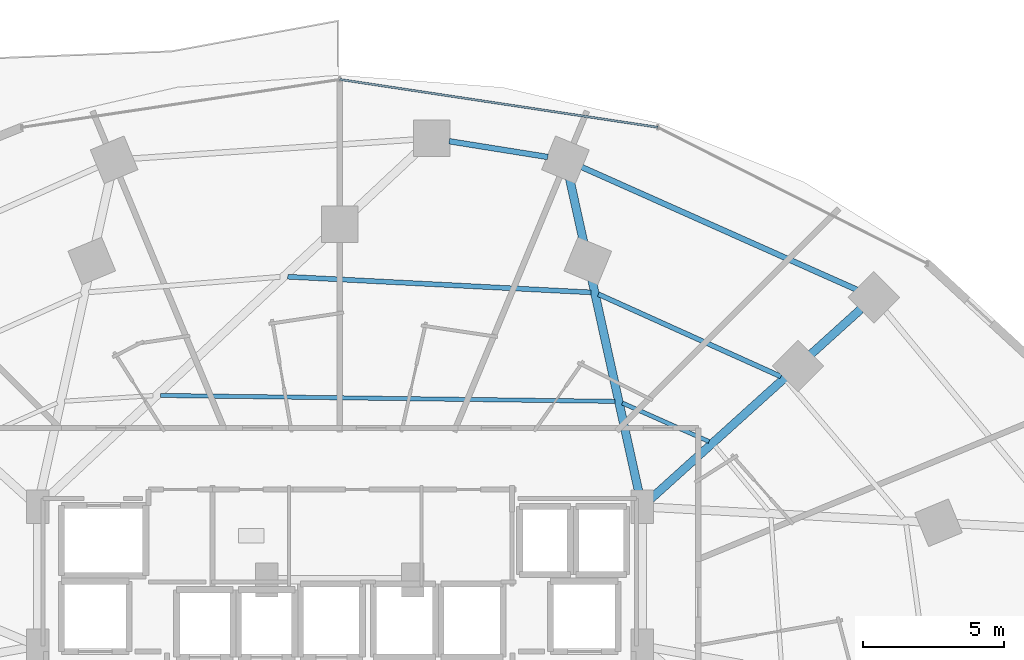
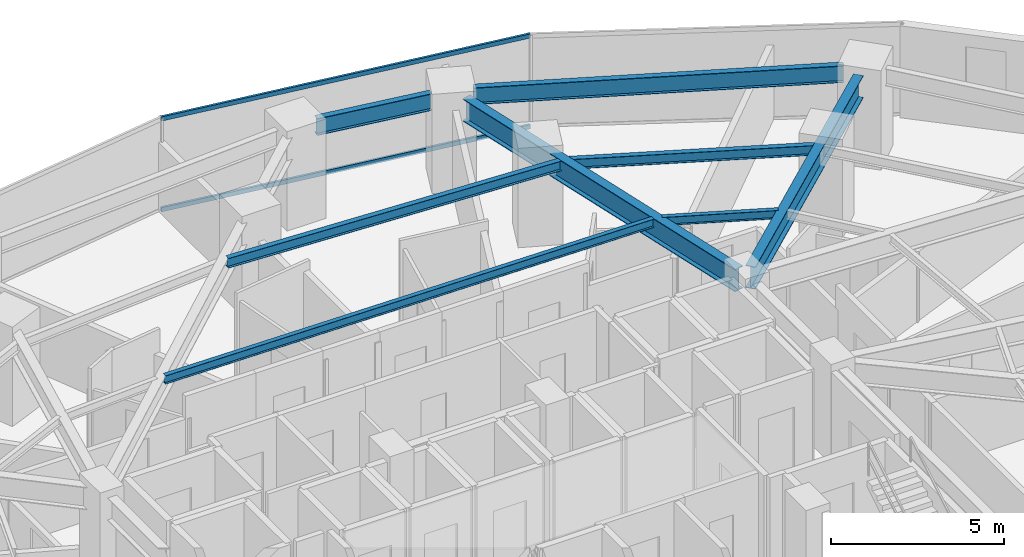
# One storey, part 22 of 34: 8 beams, 2 members, 1 element without a shape of its own.
"""IFC4 building model written with IfcOpenShell, lengths in metres."""

from ifc_helpers import new_model, si_unit, direction, frame, origin, origin_2d, place, context, subcontext, project, spatial, hollow_rectangle, i_section, extrude, material, material_profile, profile_set, type_object, element, aggregate, save


model = new_model("IFC4")

# Units and contexts
model_context = context("Model", 3, precision=1e-05, world=origin(), true_north=direction((0.0, 1.0)))
body_context = subcontext(model_context, "Body", "Model", "MODEL_VIEW")
ifc_project = project(units=[si_unit("LENGTHUNIT", "METRE"), si_unit("AREAUNIT", "SQUARE_METRE"), si_unit("VOLUMEUNIT", "CUBIC_METRE"), si_unit("PLANEANGLEUNIT", "RADIAN"), si_unit("MASSUNIT", "GRAM", prefix="KILO")], contexts=[model_context])

# Site, building, storey
site_placement = place(None, origin())
site = spatial("IfcSite", under=ifc_project, at=site_placement, CompositionType="ELEMENT")
building_placement = place(site_placement, origin())
building = spatial("IfcBuilding", under=site, at=building_placement, Name="Vorneva Point Tower", CompositionType="ELEMENT")
storey_placement = place(building_placement, frame((0.0, 0.0, 27.5)))
storey = spatial("IfcBuildingStorey", under=building, at=storey_placement, Name="L06", CompositionType="ELEMENT", Elevation=27.5)

# Beams
ifc_material_1 = material(Name="Steel S355", Category="steel")
ifc_material_profile_1 = material_profile(ifc_material_1, i_section(OverallWidth=0.300048828125, OverallDepth=0.7880859375, WebThickness=0.014404296875, FlangeThickness=0.02197265625, at=origin_2d()), Name="80Sh1")
ifc_profile_set_1 = profile_set([ifc_material_profile_1], Name="Steel S355")
beam_type_1 = type_object("IfcBeamType", Name="BM-GRD-80Sh1", PredefinedType="USERDEFINED", material=ifc_profile_set_1)
beam_1_placement = place(storey_placement, frame((56.52392578125, 40.172119140625, 2.845947265625), z_axis=(-0.742084477445, -0.67030636901, 0.0), x_axis=(0.67030636901, -0.742084477445, 0.0)))
element("IfcBeam", 1, at=beam_1_placement, inside=storey, type_object=beam_type_1, Name="L06 Radial Primary Girder 03", ObjectType="GIRDER", PredefinedType="USERDEFINED", context=body_context, shape_type="SweptSolid", body=[
    extrude(i_section(OverallWidth=0.300048828125, OverallDepth=0.7880859375, WebThickness=0.014404296875, FlangeThickness=0.02197265625, at=origin_2d()), origin(), (0.0, 0.0, 1.0), 10.135986328125),
])
beam_2_placement = place(storey_placement, frame((46.163818359375, 44.86865234375, 2.845947265625), z_axis=(0.215504784711, -0.976502784311, 0.0), x_axis=(0.976502784311, 0.215504784711, 0.0)))
element("IfcBeam", 2, at=beam_2_placement, inside=storey, type_object=beam_type_1, Name="L06 Radial Primary Girder 04", ObjectType="GIRDER", PredefinedType="USERDEFINED", context=body_context, shape_type="SweptSolid", body=[
    extrude(i_section(OverallWidth=0.300048828125, OverallDepth=0.7880859375, WebThickness=0.014404296875, FlangeThickness=0.02197265625, at=origin_2d()), origin(), (0.0, 0.0, 1.0), 11.66064453125),
])
ifc_material_profile_2 = material_profile(ifc_material_1, i_section(OverallWidth=0.14892578125, OverallDepth=0.298095703125, WebThickness=0.005615234375, FlangeThickness=0.008056640625, at=origin_2d()), Name="30B1")
ifc_profile_set_2 = profile_set([ifc_material_profile_2], Name="Steel S355")
beam_type_2 = type_object("IfcBeamType", Name="BM-JST-30B1", PredefinedType="JOIST", material=ifc_profile_set_2)
beam_3_placement = place(storey_placement, frame((51.1328125, 35.47216796875, 3.091064453125), z_axis=(-0.913898046964, 0.40594378891, 0.0), x_axis=(-0.40594378891, -0.913898046964, 0.0)))
element("IfcBeam", 3, at=beam_3_placement, inside=storey, type_object=beam_type_2, Name="L06 Secondary Floor Beam 2.03", PredefinedType="JOIST", context=body_context, shape_type="SweptSolid", body=[
    extrude(i_section(OverallWidth=0.14892578125, OverallDepth=0.298095703125, WebThickness=0.005615234375, FlangeThickness=0.008056640625, at=origin_2d()), origin(), (0.0, 0.0, 1.0), 3.37451171875),
])
beam_4_placement = place(storey_placement, frame((47.784912109375, 36.89990234375, 3.091064453125), z_axis=(-0.999914800713, 0.013053402451, 0.0), x_axis=(-0.013053402451, -0.999914800713, 0.0)))
element("IfcBeam", 4, at=beam_4_placement, inside=storey, type_object=beam_type_2, Name="L06 Secondary Floor Beam 2.04", PredefinedType="JOIST", context=body_context, shape_type="SweptSolid", body=[
    extrude(i_section(OverallWidth=0.14892578125, OverallDepth=0.298095703125, WebThickness=0.005615234375, FlangeThickness=0.008056640625, at=origin_2d()), origin(), (0.0, 0.0, 1.0), 16.15966796875),
])
ifc_material_profile_3 = material_profile(ifc_material_1, i_section(OverallWidth=0.174072265625, OverallDepth=0.345947265625, WebThickness=0.006103515625, FlangeThickness=0.009033203125, at=origin_2d()), Name="35B1")
ifc_profile_set_3 = profile_set([ifc_material_profile_3], Name="Steel S355")
beam_type_3 = type_object("IfcBeamType", Name="BM-SEC-35B1", PredefinedType="BEAM", material=ifc_profile_set_3)
beam_5_placement = place(storey_placement, frame((53.6904296875, 37.782958984375, 3.06689453125), z_axis=(-0.911588519067, 0.411103845646, 0.0), x_axis=(-0.411103845646, -0.911588519067, 0.0)))
element("IfcBeam", 5, at=beam_5_placement, inside=storey, type_object=beam_type_3, Name="L06 Secondary Floor Beam 1.03", PredefinedType="BEAM", context=body_context, shape_type="SweptSolid", body=[
    extrude(i_section(OverallWidth=0.174072265625, OverallDepth=0.345947265625, WebThickness=0.006103515625, FlangeThickness=0.009033203125, at=origin_2d()), origin(), (0.0, 0.0, 1.0), 7.12646484375),
])
beam_6_placement = place(storey_placement, frame((46.9306640625, 40.776611328125, 3.06689453125), z_axis=(-0.998669988287, 0.0515582631, 0.0), x_axis=(-0.0515582631, -0.998669988287, 0.0)))
element("IfcBeam", 6, at=beam_6_placement, inside=storey, type_object=beam_type_3, Name="L06 Secondary Floor Beam 1.04", PredefinedType="BEAM", context=body_context, shape_type="SweptSolid", body=[
    extrude(i_section(OverallWidth=0.174072265625, OverallDepth=0.345947265625, WebThickness=0.006103515625, FlangeThickness=0.009033203125, at=origin_2d()), origin(), (0.0, 0.0, 1.0), 10.79638671875),
])
ifc_material_profile_4 = material_profile(ifc_material_1, i_section(OverallWidth=0.198974609375, OverallDepth=0.595947265625, WebThickness=0.010009765625, FlangeThickness=0.014892578125, at=origin_2d()), Name="60B1")
ifc_profile_set_4 = profile_set([ifc_material_profile_4], Name="Steel S355")
beam_type_4 = type_object("IfcBeamType", Name="BM-SPN-60B1", PredefinedType="SPANDREL", material=ifc_profile_set_4)
beam_7_placement = place(storey_placement, frame((56.41748046875, 40.8583984375, 2.94189453125), z_axis=(-0.913329187558, 0.407222046499, 0.0), x_axis=(-0.407222046499, -0.913329187558, 0.0)))
element("IfcBeam", 7, at=beam_7_placement, inside=storey, type_object=beam_type_4, Name="L06 Perimeter Spandrel Ring Beam 03", PredefinedType="SPANDREL", context=body_context, shape_type="SweptSolid", body=[
    extrude(i_section(OverallWidth=0.198974609375, OverallDepth=0.595947265625, WebThickness=0.010009765625, FlangeThickness=0.014892578125, at=origin_2d()), origin(), (0.0, 0.0, 1.0), 10.742431640625),
])
beam_8_placement = place(storey_placement, frame((45.399169921875, 45.591796875, 2.94189453125), z_axis=(-0.987466356523, 0.157829638328, 0.0), x_axis=(-0.157829638328, -0.987466356523, 0.0)))
element("IfcBeam", 8, at=beam_8_placement, inside=storey, type_object=beam_type_4, Name="L06 Perimeter Spandrel Ring Beam 04", PredefinedType="SPANDREL", context=body_context, shape_type="SweptSolid", body=[
    extrude(i_section(OverallWidth=0.198974609375, OverallDepth=0.595947265625, WebThickness=0.010009765625, FlangeThickness=0.014892578125, at=origin_2d()), origin(), (0.0, 0.0, 1.0), 3.551513671875),
])

# Curtain wall, members
ifc_material_2 = material(Name="Pale anodised aluminium", Category="aluminium")
curtain_wall_type = type_object("IfcCurtainWallType", Name="CW-HTL-SYS", PredefinedType="NOTDEFINED", material=ifc_material_2)
curtain_wall_placement = place(storey_placement, origin())
curtain_wall = element("IfcCurtainWall", 9, at=curtain_wall_placement, inside=storey, type_object=curtain_wall_type, Name="L06 Unitised Curtain Wall CW-L06-R02", PredefinedType="NOTDEFINED")
ifc_material_profile_5 = material_profile(ifc_material_2, hollow_rectangle(XDim=0.074951171875, YDim=0.14990234375, WallThickness=0.00390625, at=origin_2d()), Name="AL-TRN 150x75x4")
ifc_profile_set_5 = profile_set([ifc_material_profile_5], Name="Pale anodised aluminium")
member_type = type_object("IfcMemberType", Name="CW-TRN-150", PredefinedType="USERDEFINED", material=ifc_profile_set_5)
member_1_placement = place(storey_placement, frame((49.308349609375, 46.648681640625, 0.02001953125), z_axis=(-0.988870014575, 0.148782036131, 0.0), x_axis=(-0.148782036131, -0.988870014575, 0.0)))
member_1 = element("IfcMember", 10, at=member_1_placement, type_object=member_type, Name="CW-L06-R02 Transom 02.1", ObjectType="TRANSOM", PredefinedType="USERDEFINED", context=body_context, shape_type="SweptSolid", body=[
    extrude(hollow_rectangle(XDim=0.074951171875, YDim=0.14990234375, WallThickness=0.00390625, at=origin_2d()), origin(), (0.0, 0.0, 1.0), 11.435546875),
])
member_2_placement = place(storey_placement, frame((49.308349609375, 46.648681640625, 3.219970703125), z_axis=(-0.988870014575, 0.148782036131, 0.0), x_axis=(-0.148782036131, -0.988870014575, 0.0)))
member_2 = element("IfcMember", 11, at=member_2_placement, type_object=member_type, Name="CW-L06-R02 Transom 02.2", ObjectType="TRANSOM", PredefinedType="USERDEFINED", context=body_context, shape_type="SweptSolid", body=[
    extrude(hollow_rectangle(XDim=0.074951171875, YDim=0.14990234375, WallThickness=0.00390625, at=origin_2d()), origin(), (0.0, 0.0, 1.0), 11.435546875),
])
aggregate(curtain_wall, [member_1, member_2])

save(model, "model.ifc")
